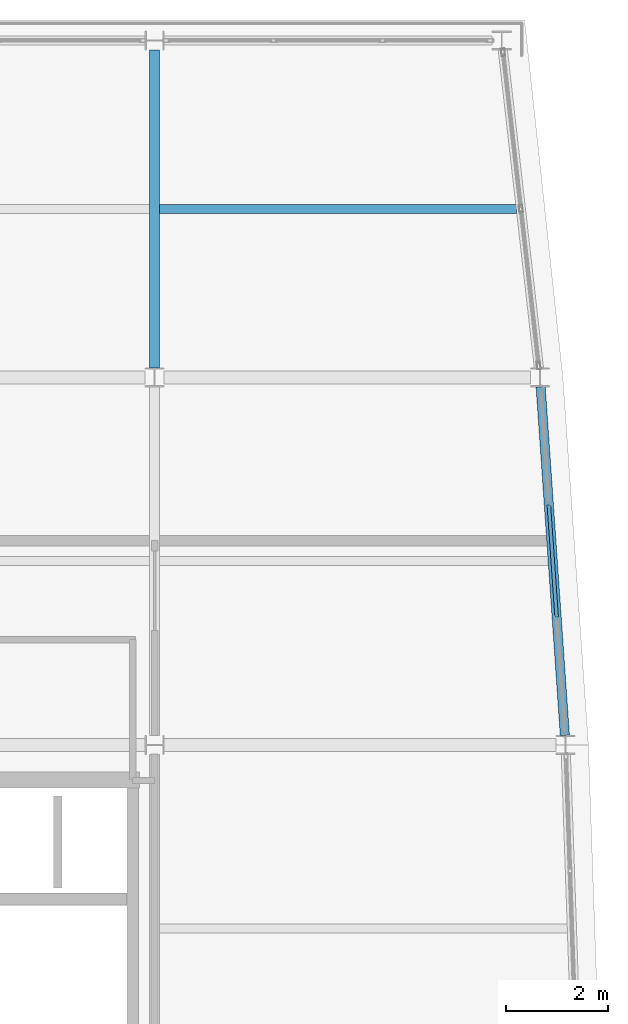
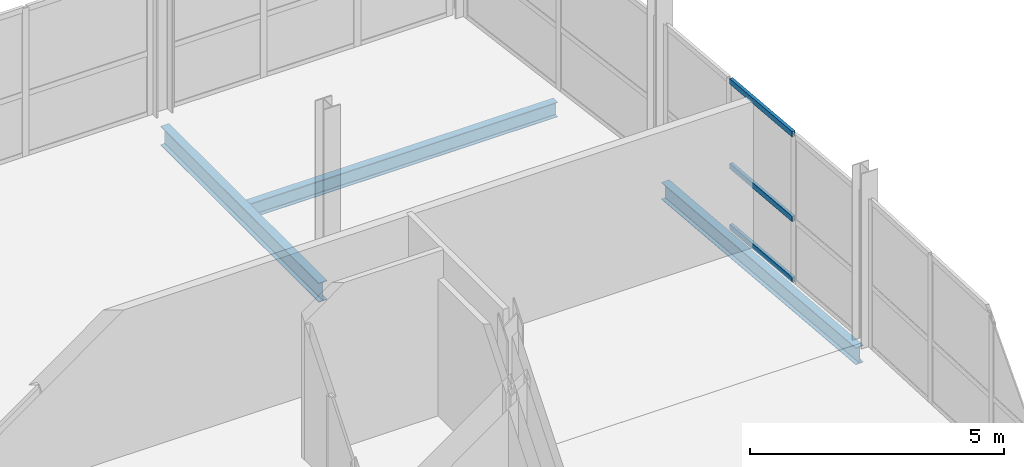
# One storey, part 9 of 20: 3 beams, 3 members, 1 element without a shape of its own.
"""IFC4 building model written with IfcOpenShell, lengths in metres."""

from ifc_helpers import new_model, si_unit, direction, frame, origin, origin_2d, place, context, subcontext, project, spatial, hollow_rectangle, i_section, extrude, material, layer, layer_set, material_profile, profile_set, type_object, element, aggregate, save


model = new_model("IFC4")

# Units and contexts
model_context = context("Model", 3, precision=1e-05, world=origin(), true_north=direction((0.0, 1.0)))
body_context = subcontext(model_context, "Body", "Model", "MODEL_VIEW")
ifc_project = project(units=[si_unit("LENGTHUNIT", "METRE"), si_unit("AREAUNIT", "SQUARE_METRE"), si_unit("VOLUMEUNIT", "CUBIC_METRE"), si_unit("PLANEANGLEUNIT", "RADIAN"), si_unit("MASSUNIT", "GRAM", prefix="KILO")], contexts=[model_context])

# Site, building, storey
site_placement = place(None, origin())
site = spatial("IfcSite", under=ifc_project, at=site_placement, CompositionType="ELEMENT")
building_placement = place(site_placement, origin())
building = spatial("IfcBuilding", under=site, at=building_placement, Name="Quillay Park Conservatory", CompositionType="ELEMENT")
storey_placement = place(building_placement, frame((0.0, 0.0, 26.699951171875)))
storey = spatial("IfcBuildingStorey", under=building, at=storey_placement, Name="L06", CompositionType="ELEMENT", Elevation=26.699951171875)

# Beam
ifc_material_1 = material(Name="Steel ASTM A992 Grade 50", Category="steel")
ifc_material_profile_1 = material_profile(ifc_material_1, i_section(OverallWidth=0.172119140625, OverallDepth=0.35791015625, WebThickness=0.0078125, FlangeThickness=0.01318359375, FilletRadius=0.010986328125, at=origin_2d()), Name="W360x57")
ifc_profile_set_1 = profile_set([ifc_material_profile_1], Name="Steel ASTM A992 Grade 50")
beam_type_1 = type_object("IfcBeamType", Name="COMPOSITE FLOOR JOIST W360 X57", PredefinedType="JOIST", material=ifc_profile_set_1)
beam_1_placement = place(storey_placement, frame((19.845947265625, 110.10009765625, -0.39892578125), z_axis=(1.0, 0.0, 0.0), x_axis=(0.0, 1.0, 0.0)))
element("IfcBeam", 1, at=beam_1_placement, inside=storey, type_object=beam_type_1, Name="L06 beam BM-J-0514", PredefinedType="JOIST", context=body_context, shape_type="SweptSolid", body=[
    extrude(i_section(OverallWidth=0.172119140625, OverallDepth=0.35791015625, WebThickness=0.0078125, FlangeThickness=0.01318359375, FilletRadius=0.010986328125, at=origin_2d()), origin(), (0.0, 0.0, 1.0), 6.989013671875),
])

# Curtain wall, members
ifc_material_2 = material(Name="Thermally Broken Anodised Aluminium 6063-T6", Category="aluminium")
ifc_layer = layer(ifc_material_2, 0.199951171875)
ifc_layer_set = layer_set([ifc_layer], Name="UNITISED CURTAIN WALL HERBARIUM (Thermally Broken Anodised Aluminium 6063-T6)")
curtain_wall_type = type_object("IfcCurtainWallType", Name="UNITISED CURTAIN WALL HERBARIUM", PredefinedType="USERDEFINED", material=ifc_layer_set)
curtain_wall_placement = place(storey_placement, origin())
curtain_wall = element("IfcCurtainWall", 2, at=curtain_wall_placement, inside=storey, type_object=curtain_wall_type, Name="L06 Unitised Curtain Wall 063", ObjectType="UNITISED CURTAIN WALL", PredefinedType="USERDEFINED")
ifc_material_3 = material(Name="Thermally Broken Anodised Aluminium 6063-T6", Category="aluminium")
ifc_material_profile_2 = material_profile(ifc_material_3, hollow_rectangle(XDim=0.070068359375, YDim=0.1298828125, WallThickness=0.003173828125, at=origin_2d()), Name="AL70x130x3.2")
ifc_profile_set_2 = profile_set([ifc_material_profile_2], Name="Thermally Broken Anodised Aluminium 6063-T6")
member_type = type_object("IfcMemberType", Name="CURTAIN WALL TRANSOM 70 X130", PredefinedType="USERDEFINED", material=ifc_profile_set_2)
member_1_placement = place(storey_placement, frame((27.4736328125, 104.298583984375, 0.03515625), z_axis=(0.069277598678, -0.997597420968, 0.0), x_axis=(0.997597420968, 0.069277598678, 0.0)))
member_1 = element("IfcMember", 3, at=member_1_placement, type_object=member_type, Name="CW-T2 transom 2.1", ObjectType="TRANSOM", PredefinedType="USERDEFINED", context=body_context, shape_type="SweptSolid", body=[
    extrude(hollow_rectangle(XDim=0.070068359375, YDim=0.1298828125, WallThickness=0.003173828125, at=origin_2d()), origin(), (0.0, 0.0, 1.0), 2.20263671875),
])
member_2_placement = place(storey_placement, frame((27.4736328125, 104.298583984375, 1.4990234375), z_axis=(0.069277598678, -0.997597420968, 0.0), x_axis=(0.997597420968, 0.069277598678, 0.0)))
member_2 = element("IfcMember", 4, at=member_2_placement, type_object=member_type, Name="CW-T2 transom 2.2", ObjectType="TRANSOM", PredefinedType="USERDEFINED", context=body_context, shape_type="SweptSolid", body=[
    extrude(hollow_rectangle(XDim=0.070068359375, YDim=0.1298828125, WallThickness=0.003173828125, at=origin_2d()), origin(), (0.0, 0.0, 1.0), 2.20263671875),
])
member_3_placement = place(storey_placement, frame((27.4736328125, 104.298583984375, 3.533935546875), z_axis=(0.069277598678, -0.997597420968, 0.0), x_axis=(0.997597420968, 0.069277598678, 0.0)))
member_3 = element("IfcMember", 5, at=member_3_placement, type_object=member_type, Name="CW-T2 transom 2.3", ObjectType="TRANSOM", PredefinedType="USERDEFINED", context=body_context, shape_type="SweptSolid", body=[
    extrude(hollow_rectangle(XDim=0.070068359375, YDim=0.1298828125, WallThickness=0.003173828125, at=origin_2d()), origin(), (0.0, 0.0, 1.0), 2.20263671875),
])
aggregate(curtain_wall, [member_1, member_2, member_3])

# Beams
ifc_material_4 = material(Name="Steel ASTM A992 Grade 50", Category="steel")
ifc_material_profile_3 = material_profile(ifc_material_4, i_section(OverallWidth=0.179931640625, OverallDepth=0.4130859375, WebThickness=0.009765625, FlangeThickness=0.01611328125, FilletRadius=0.011962890625, at=origin_2d()), Name="W410x74")
ifc_profile_set_3 = profile_set([ifc_material_profile_3], Name="Steel ASTM A992 Grade 50")
beam_type_2 = type_object("IfcBeamType", Name="PERIMETER SPANDREL BEAM W410 X74", PredefinedType="SPANDREL", material=ifc_profile_set_3)
beam_2_placement = place(storey_placement, frame((27.787109375, 99.78564453125, -0.426513671875), z_axis=(-0.069262316409, 0.997598482119, 0.0), x_axis=(-0.997598482119, -0.069262316409, 0.0)))
element("IfcBeam", 6, at=beam_2_placement, inside=storey, type_object=beam_type_2, Name="L06 beam BM-SPE-0503", PredefinedType="SPANDREL", context=body_context, shape_type="SweptSolid", body=[
    extrude(i_section(OverallWidth=0.179931640625, OverallDepth=0.4130859375, WebThickness=0.009765625, FlangeThickness=0.01611328125, FilletRadius=0.011962890625, at=origin_2d()), origin(), (0.0, 0.0, 1.0), 6.84521484375),
])
ifc_material_5 = material(Name="Steel ASTM A992 Grade 50", Category="steel")
ifc_material_profile_4 = material_profile(ifc_material_5, i_section(OverallWidth=0.19189453125, OverallDepth=0.462890625, WebThickness=0.010498046875, FlangeThickness=0.017578125, FilletRadius=0.012939453125, at=origin_2d()), Name="W460x89")
ifc_profile_set_4 = profile_set([ifc_material_profile_4], Name="Steel ASTM A992 Grade 50")
beam_type_3 = type_object("IfcBeamType", Name="PRIMARY FLOOR GIRDER W460 X89", PredefinedType="BEAM", material=ifc_profile_set_4)
beam_3_placement = place(storey_placement, frame((19.75, 106.986083984375, -0.451416015625), z_axis=(0.0, 1.0, 0.0), x_axis=(-1.0, 0.0, 0.0)))
element("IfcBeam", 7, at=beam_3_placement, inside=storey, type_object=beam_type_3, Name="L06 beam BM-GNS-0512", PredefinedType="BEAM", context=body_context, shape_type="SweptSolid", body=[
    extrude(i_section(OverallWidth=0.19189453125, OverallDepth=0.462890625, WebThickness=0.010498046875, FlangeThickness=0.017578125, FilletRadius=0.012939453125, at=origin_2d()), origin(), (0.0, 0.0, 1.0), 6.226806640625),
])

save(model, "model.ifc")
